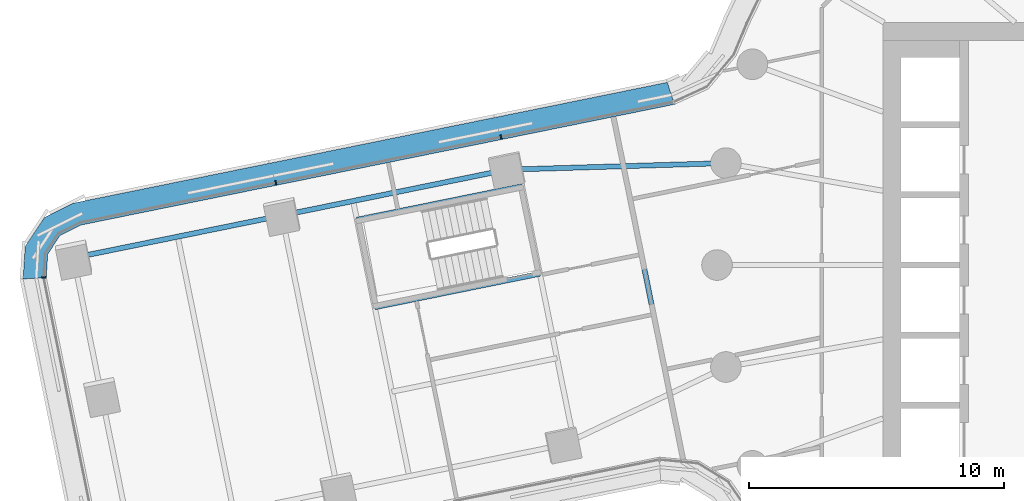
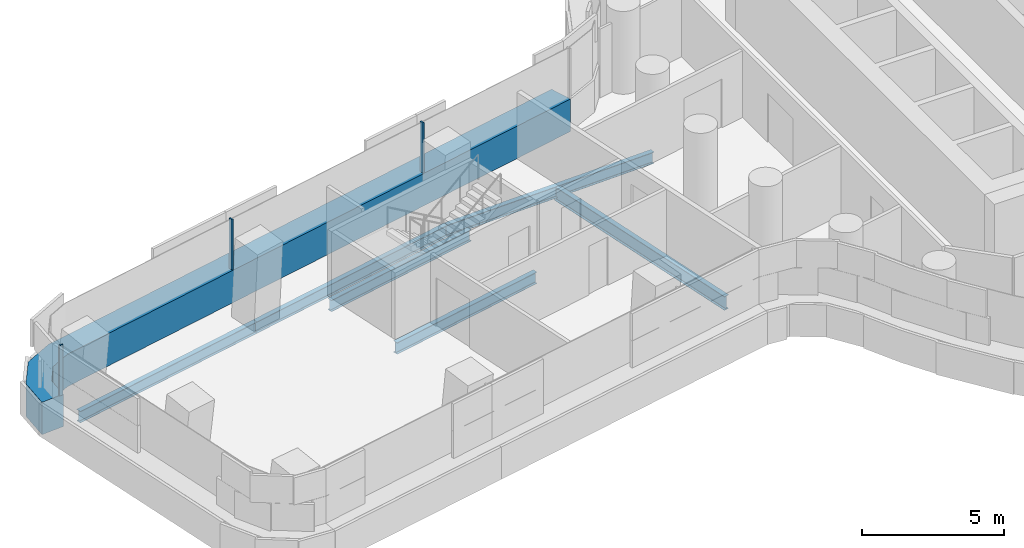
# One storey, part 6 of 31: 6 beams, 4 members, 2 elements without a shape of their own.
"""IFC4 building model written with IfcOpenShell, lengths in metres."""

from ifc_helpers import new_model, si_unit, direction, frame, origin, origin_2d, place, context, subcontext, project, spatial, polyline, rectangle, i_section, outline, extrude, material, layer, layer_set, material_profile, profile_set, type_object, element, aggregate, save


model = new_model("IFC4")

# Units and contexts
model_context = context("Model", 3, precision=1e-05, world=origin(), true_north=direction((0.0, 1.0)))
body_context = subcontext(model_context, "Body", "Model", "MODEL_VIEW")
ifc_project = project(units=[si_unit("LENGTHUNIT", "METRE"), si_unit("AREAUNIT", "SQUARE_METRE"), si_unit("VOLUMEUNIT", "CUBIC_METRE"), si_unit("PLANEANGLEUNIT", "RADIAN"), si_unit("MASSUNIT", "GRAM", prefix="KILO")], contexts=[model_context])

# Site, building, storey
site_placement = place(None, origin())
site = spatial("IfcSite", under=ifc_project, at=site_placement, CompositionType="ELEMENT")
building_placement = place(site_placement, origin())
building = spatial("IfcBuilding", under=site, at=building_placement, Name="Tamarind Cross Interchange Tower", CompositionType="ELEMENT")
storey_placement = place(building_placement, frame((0.0, 0.0, 75.25)))
storey = spatial("IfcBuildingStorey", under=building, at=storey_placement, Name="L17", CompositionType="ELEMENT", Elevation=75.25)

# Beams
ifc_material_1 = material(Name="Steel Q355B", Category="steel")
ifc_material_profile_1 = material_profile(ifc_material_1, i_section(OverallWidth=0.198974609375, OverallDepth=0.49609375, WebThickness=0.009033203125, FlangeThickness=0.013916015625, FilletRadius=0.012939453125, at=origin_2d()), Name="HN 496x199x9x14")
ifc_profile_set_1 = profile_set([ifc_material_profile_1], Name="Steel Q355B")
beam_type_1 = type_object("IfcBeamType", Name="Composite beam HN 496x199x9x14 Q355B", PredefinedType="BEAM", material=ifc_profile_set_1)
beam_1_placement = place(storey_placement, frame((-48.2099609375, 0.283447265625, -0.387939453125), z_axis=(0.979946462747, 0.199260959921, 0.0), x_axis=(-0.199260959921, 0.979946462747, 0.0)))
element("IfcBeam", 1, at=beam_1_placement, inside=storey, type_object=beam_type_1, Name="Beam W-edgeem5", PredefinedType="BEAM", context=body_context, shape_type="SweptSolid", body=[
    extrude(i_section(OverallWidth=0.198974609375, OverallDepth=0.49609375, WebThickness=0.009033203125, FlangeThickness=0.013916015625, FilletRadius=0.012939453125, at=origin_2d()), origin(), (0.0, 0.0, 1.0), 8.327880859375),
])
beam_2_placement = place(storey_placement, frame((-40.049072265625, 1.94287109375, -0.387939453125), z_axis=(0.979949680968, 0.199245132366, 0.0), x_axis=(-0.199245132366, 0.979949680968, 0.0)))
element("IfcBeam", 2, at=beam_2_placement, inside=storey, type_object=beam_type_1, Name="Beam W-edgeem6", PredefinedType="BEAM", context=body_context, shape_type="SweptSolid", body=[
    extrude(i_section(OverallWidth=0.198974609375, OverallDepth=0.49609375, WebThickness=0.009033203125, FlangeThickness=0.013916015625, FilletRadius=0.012939453125, at=origin_2d()), origin(), (0.0, 0.0, 1.0), 9.0),
])
beam_3_placement = place(storey_placement, frame((-31.2294921875, 3.736083984375, -0.387939453125), z_axis=(0.999548741912, 0.030038517643, 0.0), x_axis=(-0.030038517643, 0.999548741912, 0.0)))
element("IfcBeam", 3, at=beam_3_placement, inside=storey, type_object=beam_type_1, Name="Beam W-linkem", PredefinedType="BEAM", context=body_context, shape_type="SweptSolid", body=[
    extrude(i_section(OverallWidth=0.198974609375, OverallDepth=0.49609375, WebThickness=0.009033203125, FlangeThickness=0.013916015625, FilletRadius=0.012939453125, at=origin_2d()), origin(), (0.0, 0.0, 1.0), 8.582763671875),
])
for number, where, z_axis, x_axis, name in (
    (4, (-30.638916015625, 3.090576171875, -0.387939453125), (-0.979952577823, -0.199230884197, 0.0), (0.199230884197, -0.979952577823, 0.0), "Beam W-tr0"),
    (5, (-29.941650390625, -0.339111328125, -0.387939453125), (-0.979952577823, -0.199230884197, 0.0), (0.199230884197, -0.979952577823, 0.0), "Beam W-tr1"),
):
    element("IfcBeam", number, at=place(storey_placement, frame(where, z_axis=z_axis, x_axis=x_axis)), inside=storey, type_object=beam_type_1, Name=name, PredefinedType="BEAM", context=body_context, shape_type="SweptSolid", body=[
        extrude(i_section(OverallWidth=0.198974609375, OverallDepth=0.49609375, WebThickness=0.009033203125, FlangeThickness=0.013916015625, FilletRadius=0.012939453125, at=origin_2d()), origin(), (0.0, 0.0, 1.0), 6.60009765625),
    ])
ifc_material_profile_2 = material_profile(ifc_material_1, i_section(OverallWidth=0.199951171875, OverallDepth=0.60009765625, WebThickness=0.010986328125, FlangeThickness=0.01708984375, FilletRadius=0.012939453125, at=origin_2d()), Name="HN 600x200x11x17")
ifc_profile_set_2 = profile_set([ifc_material_profile_2], Name="Steel Q355B")
beam_type_2 = type_object("IfcBeamType", Name="Composite beam HN 600x200x11x17 Q355B", PredefinedType="BEAM", material=ifc_profile_set_2)
beam_4_placement = place(storey_placement, frame((-26.665283203125, 3.873291015625, -0.43994140625), z_axis=(0.19924147403, -0.97995042478, 0.0), x_axis=(0.97995042478, 0.19924147403, 0.0)))
element("IfcBeam", 6, at=beam_4_placement, inside=storey, type_object=beam_type_2, Name="Beam W-x258", PredefinedType="BEAM", context=body_context, shape_type="SweptSolid", body=[
    extrude(i_section(OverallWidth=0.199951171875, OverallDepth=0.60009765625, WebThickness=0.010986328125, FlangeThickness=0.01708984375, FilletRadius=0.012939453125, at=origin_2d()), origin(), (0.0, 0.0, 1.0), 9.1005859375),
])

# Curtain wall, member
ifc_material_2 = material(Name="Aluminium 6063-T6", Category="aluminium")
ifc_layer = layer(ifc_material_2, 0.159912109375)
ifc_layer_set = layer_set([ifc_layer], Name="Aluminium 6063-T6")
curtain_wall_type = type_object("IfcCurtainWallType", Name="Office curtain wall, 9.0 m bays", PredefinedType="NOTDEFINED", material=ifc_layer_set)
curtain_wall_1_placement = place(storey_placement, origin())
curtain_wall_1 = element("IfcCurtainWall", 7, at=curtain_wall_1_placement, inside=storey, type_object=curtain_wall_type, Name="CWS-L17-15", PredefinedType="NOTDEFINED")
ifc_material_3 = material(Name="Aluminium and insulated spandrel panel", Category="aluminium")
member_type_1 = type_object("IfcMemberType", Name="Floor-edge blade transom", PredefinedType="USERDEFINED", material=ifc_material_3)
member_1_placement = place(storey_placement, origin())
member_1 = element("IfcMember", 8, at=member_1_placement, type_object=member_type_1, Name="CWT-L17-15", ObjectType="TRANSOM", PredefinedType="USERDEFINED", context=body_context, shape_type="SweptSolid", body=[
    extrude(outline(polyline([(-24.6669921875, 6.294921875), (-47.92041015625, 1.56689453125), (-48.73974609375, 1.158447265625), (-49.222412109375, 0.429443359375), (-49.278564453125, -0.484375), (-50.18408203125, -0.547607421875), (-50.10595703125, 0.72509765625), (-49.35693359375, 1.8564453125), (-48.2158203125, 2.42529296875), (-24.94677734375, 7.156494140625), (-24.6669921875, 6.294921875)])), origin(), (0.0, 0.0, 1.0), 1.39990234375),
])

curtain_wall_2_placement = place(storey_placement, origin())
curtain_wall_2 = element("IfcCurtainWall", 9, at=curtain_wall_2_placement, inside=storey, type_object=curtain_wall_type, Name="CWS-L17-00", PredefinedType="NOTDEFINED")
ifc_material_profile_3 = material_profile(ifc_material_2, rectangle(XDim=0.06005859375, YDim=0.159912109375, at=origin_2d()), Name="Mullion CW1")
ifc_profile_set_3 = profile_set([ifc_material_profile_3], Name="Aluminium 6063-T6")
member_type_2 = type_object("IfcMemberType", Name="Mullion CW1", PredefinedType="MULLION", material=ifc_profile_set_3)
member_2_placement = place(storey_placement, frame((-49.379150390625, -0.4912109375, 1.39990234375), z_axis=(0.0, 0.0, 1.0), x_axis=(0.069631115598, -0.99757280824, 0.0)))
member_2 = element("IfcMember", 10, at=member_2_placement, type_object=member_type_2, Name="CWM-L17-00-00", PredefinedType="MULLION", context=body_context, shape_type="SweptSolid", body=[
    extrude(rectangle(XDim=0.06005859375, YDim=0.159912109375, at=origin_2d()), origin(), (0.0, 0.0, 1.0), 2.170166015625),
])
aggregate(curtain_wall_2, [member_2])

# Member
member_3_placement = place(storey_placement, frame((-31.465087890625, 5.0146484375, 1.39990234375), z_axis=(0.0, 0.0, 1.0), x_axis=(-0.979949750197, -0.199244791873, 0.0)))
member_3 = element("IfcMember", 11, at=member_3_placement, type_object=member_type_2, Name="CWM-L17-15-01", PredefinedType="MULLION", context=body_context, shape_type="SweptSolid", body=[
    extrude(rectangle(XDim=0.06005859375, YDim=0.159912109375, at=origin_2d()), origin(), (0.0, 0.0, 1.0), 2.170166015625),
])

member_4_placement = place(storey_placement, frame((-40.283203125, 3.2216796875, 1.39990234375), z_axis=(0.0, 0.0, 1.0), x_axis=(-0.979949750197, -0.199244791873, 0.0)))
member_4 = element("IfcMember", 12, at=member_4_placement, type_object=member_type_2, Name="CWM-L17-15-02", PredefinedType="MULLION", context=body_context, shape_type="SweptSolid", body=[
    extrude(rectangle(XDim=0.06005859375, YDim=0.159912109375, at=origin_2d()), origin(), (0.0, 0.0, 1.0), 2.170166015625),
])

aggregate(curtain_wall_1, [member_3, member_4, member_1])

save(model, "model.ifc")
